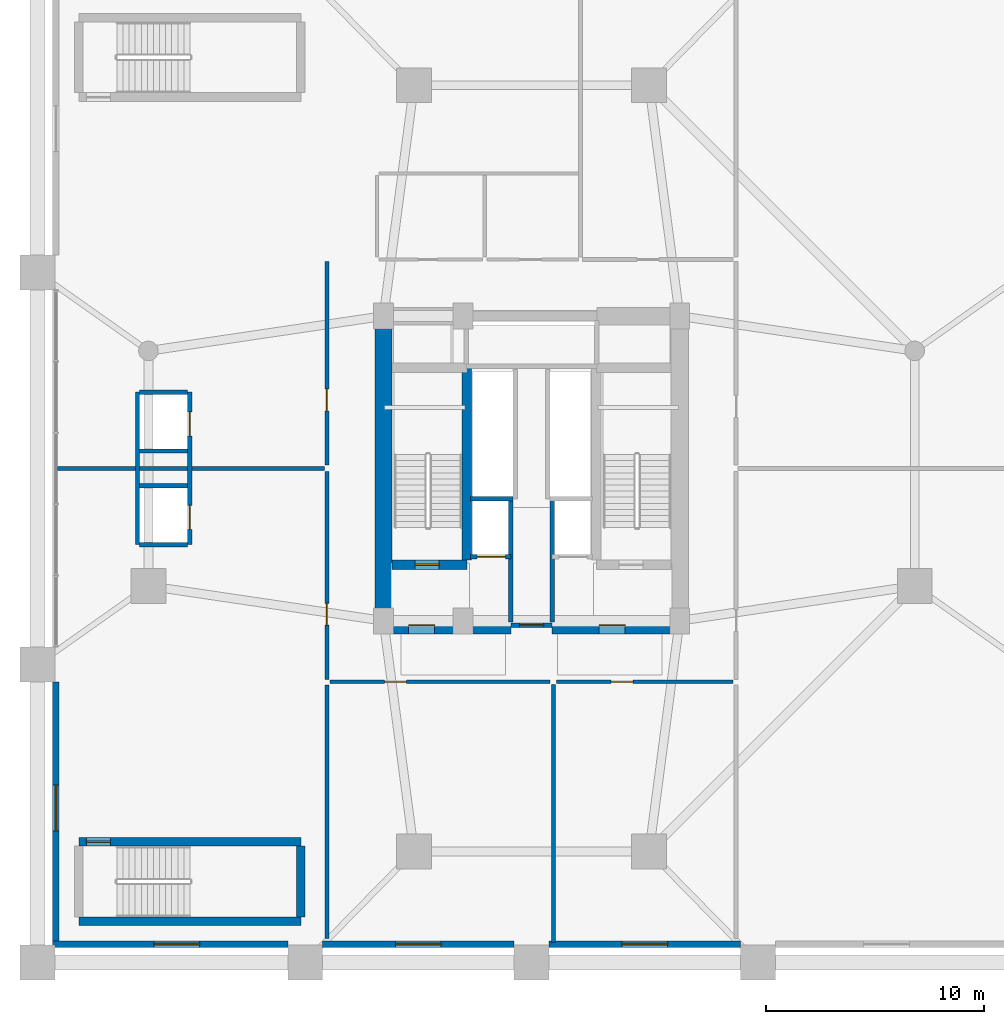
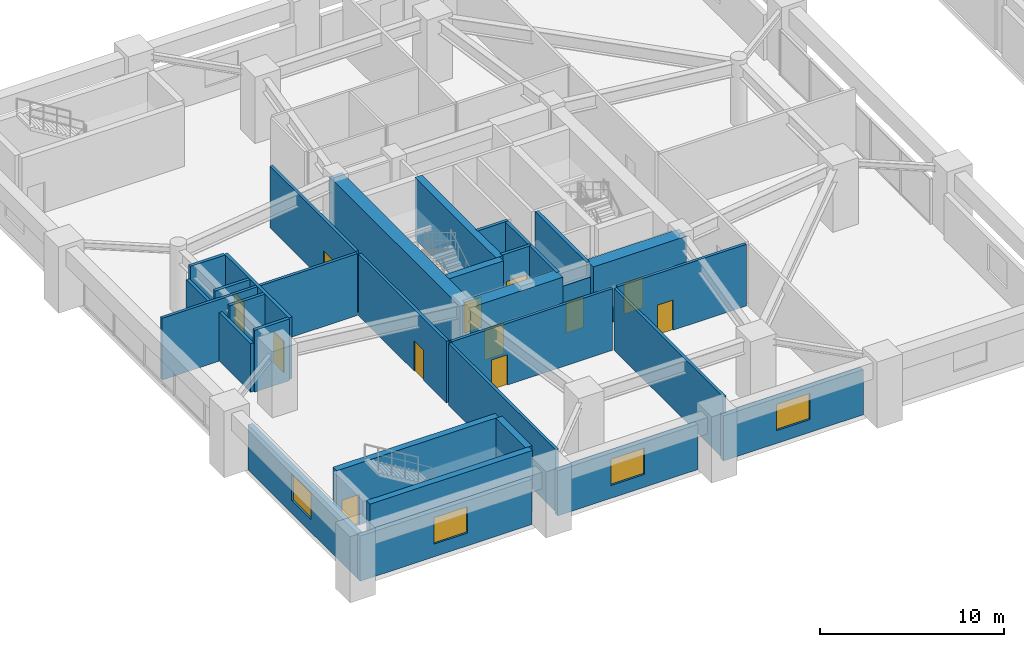
# One storey, part 14 of 22: 30 walls, 12 doors, 4 windows, 16 openings.
"""IFC4 building model written with IfcOpenShell, lengths in metres."""

from ifc_helpers import new_model, si_unit, direction, frame, frame_2d, origin, place, context, subcontext, project, spatial, rectangle, extrude, source, transform, mapped, material, layer, layer_set, type_object, element, fill, save


model = new_model("IFC4")

# Units and contexts
model_context = context("Model", 3, precision=1e-05, world=origin(), true_north=direction((0.0, 1.0)))
body_context = subcontext(model_context, "Body", "Model", "MODEL_VIEW")
ifc_project = project(units=[si_unit("LENGTHUNIT", "METRE"), si_unit("AREAUNIT", "SQUARE_METRE"), si_unit("VOLUMEUNIT", "CUBIC_METRE"), si_unit("PLANEANGLEUNIT", "RADIAN"), si_unit("MASSUNIT", "GRAM", prefix="KILO")], contexts=[model_context])

# Site, building, storey
site_placement = place(None, origin())
site = spatial("IfcSite", under=ifc_project, at=site_placement, CompositionType="ELEMENT")
building_placement = place(site_placement, origin())
building = spatial("IfcBuilding", under=site, at=building_placement, Name="Veraguas Prism Commons", CompositionType="ELEMENT")
storey_placement = place(building_placement, frame((0.0, 0.0, 5.199951171875)))
storey = spatial("IfcBuildingStorey", under=building, at=storey_placement, Name="L01", CompositionType="ELEMENT", Elevation=5.199951171875)

# Wall
ifc_material_1 = material(Name="Concrete C50/60", Category="concrete")
ifc_layer_1 = layer(ifc_material_1, 0.39990234375, Name="Clinic and Mid Core Shear Wall RC 400", Category="concrete")
ifc_layer_set_1 = layer_set([ifc_layer_1], Name="Concrete C50/60")
wall_type_1 = type_object("IfcWallType", Name="Clinic and Mid Core Shear Wall RC 400", PredefinedType="SHEAR", material=ifc_layer_set_1)
wall_1_placement = place(storey_placement, frame((3.199951171875, 3.199951171875, 0.0), z_axis=(0.0, 0.0, 1.0), x_axis=(1.0, 0.0, 0.0)))
element("IfcWall", 1, at=wall_1_placement, inside=storey, type_object=wall_type_1, Name="ST-M1 South Shear Wall L01", PredefinedType="SHEAR", context=body_context, shape_type="SweptSolid", body=[
    extrude(rectangle(XDim=10.199951171875, YDim=0.39990234375, at=frame_2d((5.10009765625, 0.0))), origin(), (0.0, 0.0, 1.0), 4.10009765625),
])

# Wall, opening, door
wall_2_placement = place(storey_placement, frame((3.199951171875, 6.85009765625, 0.0), z_axis=(0.0, 0.0, 1.0), x_axis=(1.0, 0.0, 0.0)))
wall_2 = element("IfcWall", 2, at=wall_2_placement, inside=storey, type_object=wall_type_1, Name="ST-M1 North Shear Wall L01", PredefinedType="SHEAR", context=body_context, shape_type="SweptSolid", body=[
    extrude(rectangle(XDim=10.199951171875, YDim=0.39990234375, at=frame_2d((5.10009765625, 0.0))), origin(), (0.0, 0.0, 1.0), 4.10009765625),
])
opening_1_placement = place(wall_2_placement, frame((0.35009765625, 0.0, 0.0)))
opening_1 = element("IfcOpeningElement", 3, at=opening_1_placement, cuts=wall_2, Name="Opening DR-05", PredefinedType="OPENING", context=body_context, shape_type="SweptSolid", body=[
    extrude(rectangle(XDim=1.10009765625, YDim=2.030029296875, at=frame_2d((0.550048828125, 1.01513671875))), frame((0.0, 0.2099609375, 0.0), z_axis=(0.0, -1.0, 0.0), x_axis=(1.0, 0.0, 0.0)), (0.0, 0.0, 1.0), 0.419921875),
])
ifc_material_2 = material(Name="Steel fire-rated door assembly", Category="steel")
door_type_1 = type_object("IfcDoorType", Name="Protected Stair and Refuge Fire Door 1100x2030", OperationType="NOTDEFINED", PredefinedType="DOOR", material=ifc_material_2)
shared_shape_1 = source(origin(), body_context, "Body", "SweptSolid", [
    extrude(rectangle(XDim=1.10009765625, YDim=2.030029296875, at=frame_2d((0.550048828125, 1.01513671875))), frame((0.0, 0.02490234375, 0.0), z_axis=(0.0, -1.0, 0.0), x_axis=(1.0, 0.0, 0.0)), (0.0, 0.0, 1.0), 0.050048828125),
])
door_1_placement = place(opening_1_placement, origin())
door_1 = element("IfcDoor", 4, at=door_1_placement, inside=storey, type_object=door_type_1, Name="Metro Stair ST-M1 Door L01", OperationType="SINGLE_SWING_LEFT", OverallHeight=2.030029296875, OverallWidth=1.10009765625, PredefinedType="DOOR", context=body_context, shape_type="MappedRepresentation", body=[
    mapped(shared_shape_1, transform((0.0, 0.0, 0.0), scale=1.0)),
])
fill(opening_1, door_1)

# Wall
wall_3_placement = place(storey_placement, frame((13.39990234375, 3.39990234375, 0.0), z_axis=(0.0, 0.0, 1.0), x_axis=(0.0, 1.0, 0.0)))
element("IfcWall", 5, at=wall_3_placement, inside=storey, type_object=wall_type_1, Name="ST-M1 East Shear Wall L01", PredefinedType="SHEAR", context=body_context, shape_type="SweptSolid", body=[
    extrude(rectangle(XDim=3.25, YDim=0.39990234375, at=frame_2d((1.625, 0.0))), origin(), (0.0, 0.0, 1.0), 4.10009765625),
])

# Wall, opening, door
ifc_material_3 = material(Name="Concrete C60/75", Category="concrete")
ifc_layer_2 = layer(ifc_material_3, 0.449951171875, Name="Core Internal Shear Wall Lower RC 450", Category="concrete")
ifc_layer_set_2 = layer_set([ifc_layer_2], Name="Concrete C60/75")
wall_type_2 = type_object("IfcWallType", Name="Core Internal Shear Wall Lower RC 450", PredefinedType="SHEAR", material=ifc_layer_set_2)
wall_4_placement = place(storey_placement, frame((17.60009765625, 19.574951171875, 0.0), z_axis=(0.0, 0.0, 1.0), x_axis=(1.0, 0.0, 0.0)))
wall_4 = element("IfcWall", 6, at=wall_4_placement, inside=storey, type_object=wall_type_2, Name="Stair ST-01 South Shear Wall L01", PredefinedType="SHEAR", context=body_context, shape_type="SweptSolid", body=[
    extrude(rectangle(XDim=3.4248046875, YDim=0.449951171875, at=frame_2d((1.71240234375, 0.0))), origin(), (0.0, 0.0, 1.0), 4.10009765625),
])
opening_2_placement = place(wall_4_placement, frame((1.050048828125, 0.0, 0.0)))
opening_2 = element("IfcOpeningElement", 7, at=opening_2_placement, cuts=wall_4, Name="Opening DR-05", PredefinedType="OPENING", context=body_context, shape_type="SweptSolid", body=[
    extrude(rectangle(XDim=1.10009765625, YDim=2.030029296875, at=frame_2d((0.550048828125, 1.01513671875))), frame((0.0, 0.23486328125, 0.0), z_axis=(0.0, -1.0, 0.0), x_axis=(1.0, 0.0, 0.0)), (0.0, 0.0, 1.0), 0.469970703125),
])
door_2_placement = place(opening_2_placement, origin())
door_2 = element("IfcDoor", 8, at=door_2_placement, inside=storey, type_object=door_type_1, Name="Stair ST-01 Enclosure Door L01", OperationType="SINGLE_SWING_LEFT", OverallHeight=2.030029296875, OverallWidth=1.10009765625, PredefinedType="DOOR", context=body_context, shape_type="MappedRepresentation", body=[
    mapped(shared_shape_1, transform((0.0, 0.0, 0.0), scale=1.0)),
])
fill(opening_2, door_2)

# Walls
wall_5_placement = place(storey_placement, frame((21.02490234375, 19.800048828125, 0.0), z_axis=(0.0, 0.0, 1.0), x_axis=(0.0, 1.0, 0.0)))
element("IfcWall", 9, at=wall_5_placement, inside=storey, type_object=wall_type_2, Name="Stair ST-01 Inner Shear Wall L01", PredefinedType="SHEAR", context=body_context, shape_type="SweptSolid", body=[
    extrude(rectangle(XDim=8.824951171875, YDim=0.449951171875, at=frame_2d((4.41259765625, 0.0))), origin(), (0.0, 0.0, 1.0), 4.10009765625),
])
ifc_layer_3 = layer(ifc_material_3, 0.800048828125, Name="Core Outer Shear Wall Lower RC 800", Category="concrete")
ifc_layer_set_3 = layer_set([ifc_layer_3], Name="Concrete C60/75")
wall_type_3 = type_object("IfcWallType", Name="Core Outer Shear Wall Lower RC 800", PredefinedType="SHEAR", material=ifc_layer_set_3)
wall_6_placement = place(storey_placement, frame((17.199951171875, 16.800048828125, 0.0), z_axis=(0.0, 0.0, 1.0), x_axis=(0.0, 1.0, 0.0)))
element("IfcWall", 10, at=wall_6_placement, inside=storey, type_object=wall_type_3, Name="Central Core West Shear Wall L01", PredefinedType="SHEAR", context=body_context, shape_type="SweptSolid", body=[
    extrude(rectangle(XDim=14.199951171875, YDim=0.800048828125, at=frame_2d((7.10009765625, 0.0))), origin(), (0.0, 0.0, 1.0), 4.10009765625),
])

# Wall, opening, door
wall_7_placement = place(storey_placement, frame((17.199951171875, 16.800048828125, 0.0), z_axis=(0.0, 0.0, 1.0), x_axis=(1.0, 0.0, 0.0)))
wall_7 = element("IfcWall", 11, at=wall_7_placement, inside=storey, type_object=wall_type_3, Name="Central Core South-West Shear Wall L01", PredefinedType="SHEAR", context=body_context, shape_type="SweptSolid", body=[
    extrude(rectangle(XDim=5.85009765625, YDim=0.800048828125, at=frame_2d((2.925048828125, 0.0))), origin(), (0.0, 0.0, 1.0), 4.10009765625),
])
opening_3_placement = place(wall_7_placement, frame((1.14990234375, 0.0, 0.0)))
opening_3 = element("IfcOpeningElement", 12, at=opening_3_placement, cuts=wall_7, Name="Opening DR-06", PredefinedType="OPENING", context=body_context, shape_type="SweptSolid", body=[
    extrude(rectangle(XDim=1.199951171875, YDim=2.030029296875, at=frame_2d((0.60009765625, 1.01513671875))), frame((0.0, 0.409912109375, 0.0), z_axis=(0.0, -1.0, 0.0), x_axis=(1.0, 0.0, 0.0)), (0.0, 0.0, 1.0), 0.820068359375),
])
door_type_2 = type_object("IfcDoorType", Name="Firefighting Lobby Smoke Door 1200x2030", OperationType="NOTDEFINED", PredefinedType="DOOR", material=ifc_material_2)
shared_shape_2 = source(origin(), body_context, "Body", "SweptSolid", [
    extrude(rectangle(XDim=1.199951171875, YDim=2.030029296875, at=frame_2d((0.60009765625, 1.01513671875))), frame((0.0, 0.02490234375, 0.0), z_axis=(0.0, -1.0, 0.0), x_axis=(1.0, 0.0, 0.0)), (0.0, 0.0, 1.0), 0.050048828125),
])
door_3_placement = place(opening_3_placement, origin())
door_3 = element("IfcDoor", 13, at=door_3_placement, inside=storey, type_object=door_type_2, Name="West FF Lobby Door L01", OperationType="SINGLE_SWING_RIGHT", OverallHeight=2.030029296875, OverallWidth=1.199951171875, PredefinedType="DOOR", context=body_context, shape_type="MappedRepresentation", body=[
    mapped(shared_shape_2, transform((0.0, 0.0, 0.0), scale=1.0)),
])
fill(opening_3, door_3)

wall_8_placement = place(storey_placement, frame((24.949951171875, 16.800048828125, 0.0), z_axis=(0.0, 0.0, 1.0), x_axis=(1.0, 0.0, 0.0)))
wall_8 = element("IfcWall", 14, at=wall_8_placement, inside=storey, type_object=wall_type_3, Name="Central Core South-East Shear Wall L01", PredefinedType="SHEAR", context=body_context, shape_type="SweptSolid", body=[
    extrude(rectangle(XDim=5.85009765625, YDim=0.800048828125, at=frame_2d((2.925048828125, 0.0))), origin(), (0.0, 0.0, 1.0), 4.10009765625),
])
opening_4_placement = place(wall_8_placement, frame((2.14990234375, 0.0, 0.0)))
opening_4 = element("IfcOpeningElement", 15, at=opening_4_placement, cuts=wall_8, Name="Opening DR-06", PredefinedType="OPENING", context=body_context, shape_type="SweptSolid", body=[
    extrude(rectangle(XDim=1.199951171875, YDim=2.030029296875, at=frame_2d((0.60009765625, 1.01513671875))), frame((0.0, 0.409912109375, 0.0), z_axis=(0.0, -1.0, 0.0), x_axis=(1.0, 0.0, 0.0)), (0.0, 0.0, 1.0), 0.820068359375),
])
door_4_placement = place(opening_4_placement, origin())
door_4 = element("IfcDoor", 16, at=door_4_placement, inside=storey, type_object=door_type_2, Name="East FF Lobby Door L01", OperationType="SINGLE_SWING_RIGHT", OverallHeight=2.030029296875, OverallWidth=1.199951171875, PredefinedType="DOOR", context=body_context, shape_type="MappedRepresentation", body=[
    mapped(shared_shape_2, transform((0.0, 0.0, 0.0), scale=1.0)),
])
fill(opening_4, door_4)

ifc_material_4 = material(Name="Autoclaved aerated masonry block 10 MPa", Category="masonry")
ifc_layer_4 = layer(ifc_material_4, 0.179931640625, Name="Corridor and Inter-Tenancy Partition 180", Category="masonry")
ifc_layer_set_4 = layer_set([ifc_layer_4], Name="Autoclaved aerated masonry block 10 MPa")
wall_type_4 = type_object("IfcWallType", Name="Corridor and Inter-Tenancy Partition 180", PredefinedType="PARTITIONING", material=ifc_layer_set_4)
wall_9_placement = place(storey_placement, frame((14.60009765625, 14.300048828125, 0.0), z_axis=(0.0, 0.0, 1.0), x_axis=(0.0, 1.0, 0.0)))
wall_9 = element("IfcWall", 17, at=wall_9_placement, inside=storey, type_object=wall_type_4, Name="WL-L01-PDPT01", PredefinedType="PARTITIONING", context=body_context, shape_type="SweptSolid", body=[
    extrude(rectangle(XDim=9.550048828125, YDim=0.179931640625, at=frame_2d((4.77490234375, 0.0))), origin(), (0.0, 0.0, 1.0), 4.10009765625),
])
opening_5_placement = place(wall_9_placement, frame((2.5, 0.0, 0.0)))
opening_5 = element("IfcOpeningElement", 18, at=opening_5_placement, cuts=wall_9, Name="Opening DR-13", PredefinedType="OPENING", context=body_context, shape_type="SweptSolid", body=[
    extrude(rectangle(XDim=1.0, YDim=2.010009765625, at=frame_2d((0.5, 1.0048828125))), frame((0.0, 0.099853515625, 0.0), z_axis=(0.0, -1.0, 0.0), x_axis=(1.0, 0.0, 0.0)), (0.0, 0.0, 1.0), 0.199951171875),
])
door_type_3 = type_object("IfcDoorType", Name="Core Accessible WC and Clinic Fire Door 1000x2010", OperationType="NOTDEFINED", PredefinedType="DOOR", material=ifc_material_2)
shared_shape_3 = source(origin(), body_context, "Body", "SweptSolid", [
    extrude(rectangle(XDim=1.0, YDim=2.010009765625, at=frame_2d((0.5, 1.0048828125))), frame((0.0, 0.02490234375, 0.0), z_axis=(0.0, -1.0, 0.0), x_axis=(1.0, 0.0, 0.0)), (0.0, 0.0, 1.0), 0.050048828125),
])
door_5_placement = place(opening_5_placement, origin())
door_5 = element("IfcDoor", 19, at=door_5_placement, inside=storey, type_object=door_type_3, Name="Metro Upper Concourse Gallery Door", OperationType="SINGLE_SWING_LEFT", OverallHeight=2.010009765625, OverallWidth=1.0, PredefinedType="DOOR", context=body_context, shape_type="MappedRepresentation", body=[
    mapped(shared_shape_3, transform((0.0, 0.0, 0.0), scale=1.0)),
])
fill(opening_5, door_5)

wall_10_placement = place(storey_placement, frame((14.60009765625, 24.14990234375, 0.0), z_axis=(0.0, 0.0, 1.0), x_axis=(0.0, 1.0, 0.0)))
wall_10 = element("IfcWall", 20, at=wall_10_placement, inside=storey, type_object=wall_type_4, Name="WL-L01-PDPT02", PredefinedType="PARTITIONING", context=body_context, shape_type="SweptSolid", body=[
    extrude(rectangle(XDim=9.35009765625, YDim=0.179931640625, at=frame_2d((4.675048828125, 0.0))), origin(), (0.0, 0.0, 1.0), 4.10009765625),
])
opening_6_placement = place(wall_10_placement, frame((2.5, 0.0, 0.0)))
opening_6 = element("IfcOpeningElement", 21, at=opening_6_placement, cuts=wall_10, Name="Opening DR-13", PredefinedType="OPENING", context=body_context, shape_type="SweptSolid", body=[
    extrude(rectangle(XDim=1.0, YDim=2.010009765625, at=frame_2d((0.5, 1.0048828125))), frame((0.0, 0.099853515625, 0.0), z_axis=(0.0, -1.0, 0.0), x_axis=(1.0, 0.0, 0.0)), (0.0, 0.0, 1.0), 0.199951171875),
])
door_6_placement = place(opening_6_placement, origin())
door_6 = element("IfcDoor", 22, at=door_6_placement, inside=storey, type_object=door_type_3, Name="Community Reading Hall Door", OperationType="SINGLE_SWING_RIGHT", OverallHeight=2.010009765625, OverallWidth=1.0, PredefinedType="DOOR", context=body_context, shape_type="MappedRepresentation", body=[
    mapped(shared_shape_3, transform((0.0, 0.0, 0.0), scale=1.0)),
])
fill(opening_6, door_6)

# Walls
wall_11_placement = place(storey_placement, frame((2.219970703125, 24.0, 0.0), z_axis=(0.0, 0.0, 1.0), x_axis=(1.0, 0.0, 0.0)))
element("IfcWall", 23, at=wall_11_placement, inside=storey, type_object=wall_type_4, Name="WL-L01-PDPT03", PredefinedType="PARTITIONING", context=body_context, shape_type="SweptSolid", body=[
    extrude(rectangle(XDim=12.260009765625, YDim=0.179931640625, at=frame_2d((6.1298828125, 0.0))), origin(), (0.0, 0.0, 1.0), 4.10009765625),
])
wall_12_placement = place(storey_placement, frame((14.60009765625, 2.39990234375, 0.0), z_axis=(0.0, 0.0, 1.0), x_axis=(0.0, 1.0, 0.0)))
element("IfcWall", 24, at=wall_12_placement, inside=storey, type_object=wall_type_4, Name="WL-L01-PDPT03S", PredefinedType="PARTITIONING", context=body_context, shape_type="SweptSolid", body=[
    extrude(rectangle(XDim=11.650146484375, YDim=0.179931640625, at=frame_2d((5.8251953125, 0.0))), origin(), (0.0, 0.0, 1.0), 4.10009765625),
])

# Wall, opening, door
wall_13_placement = place(storey_placement, frame((14.75, 14.199951171875, 0.0), z_axis=(0.0, 0.0, 1.0), x_axis=(1.0, 0.0, 0.0)))
wall_13 = element("IfcWall", 25, at=wall_13_placement, inside=storey, type_object=wall_type_4, Name="WL-L01-PDPT04", PredefinedType="PARTITIONING", context=body_context, shape_type="SweptSolid", body=[
    extrude(rectangle(XDim=10.10009765625, YDim=0.179931640625, at=frame_2d((5.050048828125, 0.0))), origin(), (0.0, 0.0, 1.0), 4.10009765625),
])
opening_7_placement = place(wall_13_placement, frame((2.5, 0.0, 0.0)))
opening_7 = element("IfcOpeningElement", 26, at=opening_7_placement, cuts=wall_13, Name="Opening DR-13", PredefinedType="OPENING", context=body_context, shape_type="SweptSolid", body=[
    extrude(rectangle(XDim=1.0, YDim=2.010009765625, at=frame_2d((0.5, 1.0048828125))), frame((0.0, 0.099853515625, 0.0), z_axis=(0.0, -1.0, 0.0), x_axis=(1.0, 0.0, 0.0)), (0.0, 0.0, 1.0), 0.199951171875),
])
door_7_placement = place(opening_7_placement, origin())
door_7 = element("IfcDoor", 27, at=door_7_placement, inside=storey, type_object=door_type_3, Name="Municipal Housing Advice Office Door", OperationType="SINGLE_SWING_LEFT", OverallHeight=2.010009765625, OverallWidth=1.0, PredefinedType="DOOR", context=body_context, shape_type="MappedRepresentation", body=[
    mapped(shared_shape_3, transform((0.0, 0.0, 0.0), scale=1.0)),
])
fill(opening_7, door_7)

wall_14_placement = place(storey_placement, frame((25.14990234375, 14.199951171875, 0.0), z_axis=(0.0, 0.0, 1.0), x_axis=(1.0, 0.0, 0.0)))
wall_14 = element("IfcWall", 28, at=wall_14_placement, inside=storey, type_object=wall_type_4, Name="WL-L01-PDPT05", PredefinedType="PARTITIONING", context=body_context, shape_type="SweptSolid", body=[
    extrude(rectangle(XDim=8.10009765625, YDim=0.179931640625, at=frame_2d((4.050048828125, 0.0))), origin(), (0.0, 0.0, 1.0), 4.10009765625),
])
opening_8_placement = place(wall_14_placement, frame((2.5, 0.0, 0.0)))
opening_8 = element("IfcOpeningElement", 29, at=opening_8_placement, cuts=wall_14, Name="Opening DR-13", PredefinedType="OPENING", context=body_context, shape_type="SweptSolid", body=[
    extrude(rectangle(XDim=1.0, YDim=2.010009765625, at=frame_2d((0.5, 1.0048828125))), frame((0.0, 0.099853515625, 0.0), z_axis=(0.0, -1.0, 0.0), x_axis=(1.0, 0.0, 0.0)), (0.0, 0.0, 1.0), 0.199951171875),
])
door_8_placement = place(opening_8_placement, origin())
door_8 = element("IfcDoor", 30, at=door_8_placement, inside=storey, type_object=door_type_3, Name="Co-op Member Services Door", OperationType="SINGLE_SWING_RIGHT", OverallHeight=2.010009765625, OverallWidth=1.0, PredefinedType="DOOR", context=body_context, shape_type="MappedRepresentation", body=[
    mapped(shared_shape_3, transform((0.0, 0.0, 0.0), scale=1.0)),
])
fill(opening_8, door_8)

# Wall
wall_15_placement = place(storey_placement, frame((25.0, 2.219970703125, 0.0), z_axis=(0.0, 0.0, 1.0), x_axis=(0.0, 1.0, 0.0)))
element("IfcWall", 31, at=wall_15_placement, inside=storey, type_object=wall_type_4, Name="WL-L01-PDPT06", PredefinedType="PARTITIONING", context=body_context, shape_type="SweptSolid", body=[
    extrude(rectangle(XDim=11.860107421875, YDim=0.179931640625, at=frame_2d((5.93017578125, 0.0))), origin(), (0.0, 0.0, 1.0), 4.10009765625),
])

# Wall, opening, window
ifc_material_5 = material(Name="Precast concrete C40/50", Category="concrete")
ifc_layer_5 = layer(ifc_material_5, 0.300048828125, Name="External Precast Facade Wall 300", Category="concrete")
ifc_layer_set_5 = layer_set([ifc_layer_5], Name="Precast concrete C40/50")
wall_type_5 = type_object("IfcWallType", Name="External Precast Facade Wall 300", PredefinedType="SOLIDWALL", material=ifc_layer_set_5)
wall_16_placement = place(storey_placement, frame((2.0, 2.14990234375, 0.0), z_axis=(0.0, 0.0, 1.0), x_axis=(1.0, 0.0, 0.0)))
wall_16 = element("IfcWall", 32, at=wall_16_placement, inside=storey, type_object=wall_type_5, Name="Podium South Facade Wall L01-01", PredefinedType="SOLIDWALL", context=body_context, shape_type="SweptSolid", body=[
    extrude(rectangle(XDim=10.800048828125, YDim=0.300048828125, at=frame_2d((5.39990234375, 0.0))), origin(), (0.0, 0.0, 1.0), 3.0),
])
opening_9_placement = place(wall_16_placement, frame((4.64990234375, 0.0, 0.85009765625)))
opening_9 = element("IfcOpeningElement", 33, at=opening_9_placement, cuts=wall_16, Name="Opening WN-07", PredefinedType="OPENING", context=body_context, shape_type="SweptSolid", body=[
    extrude(rectangle(XDim=2.10009765625, YDim=1.75, at=frame_2d((1.050048828125, 0.875))), frame((0.0, 0.159912109375, 0.0), z_axis=(0.0, -1.0, 0.0), x_axis=(1.0, 0.0, 0.0)), (0.0, 0.0, 1.0), 0.320068359375),
])
ifc_material_6 = material(Name="Laminated low-e glass", Category="glass")
window_type = type_object("IfcWindowType", Name="Podium Community Window 2100x1750", PartitioningType="DOUBLE_PANEL_VERTICAL", PredefinedType="WINDOW", material=ifc_material_6)
shared_shape_4 = source(origin(), body_context, "Body", "SweptSolid", [
    extrude(rectangle(XDim=2.10009765625, YDim=1.75, at=frame_2d((1.050048828125, 0.875))), frame((0.0, 0.030029296875, 0.0), z_axis=(0.0, -1.0, 0.0), x_axis=(1.0, 0.0, 0.0)), (0.0, 0.0, 1.0), 0.06005859375),
])
window_1_placement = place(opening_9_placement, origin())
window_1 = element("IfcWindow", 34, at=window_1_placement, inside=storey, type_object=window_type, Name="Podium South Window L01-01", OverallHeight=1.75, OverallWidth=2.10009765625, PartitioningType="DOUBLE_PANEL_VERTICAL", PredefinedType="WINDOW", context=body_context, shape_type="MappedRepresentation", body=[
    mapped(shared_shape_4, transform((0.0, 0.0, 0.0), scale=1.0)),
])
fill(opening_9, window_1)

wall_17_placement = place(storey_placement, frame((14.39990234375, 2.14990234375, 0.0), z_axis=(0.0, 0.0, 1.0), x_axis=(1.0, 0.0, 0.0)))
wall_17 = element("IfcWall", 35, at=wall_17_placement, inside=storey, type_object=wall_type_5, Name="Podium South Facade Wall L01-02", PredefinedType="SOLIDWALL", context=body_context, shape_type="SweptSolid", body=[
    extrude(rectangle(XDim=8.800048828125, YDim=0.300048828125, at=frame_2d((4.39990234375, 0.0))), origin(), (0.0, 0.0, 1.0), 3.0),
])
opening_10_placement = place(wall_17_placement, frame((3.35009765625, 0.0, 0.85009765625)))
opening_10 = element("IfcOpeningElement", 36, at=opening_10_placement, cuts=wall_17, Name="Opening WN-07", PredefinedType="OPENING", context=body_context, shape_type="SweptSolid", body=[
    extrude(rectangle(XDim=2.10009765625, YDim=1.75, at=frame_2d((1.050048828125, 0.875))), frame((0.0, 0.159912109375, 0.0), z_axis=(0.0, -1.0, 0.0), x_axis=(1.0, 0.0, 0.0)), (0.0, 0.0, 1.0), 0.320068359375),
])
window_2_placement = place(opening_10_placement, origin())
window_2 = element("IfcWindow", 37, at=window_2_placement, inside=storey, type_object=window_type, Name="Podium South Window L01-02", OverallHeight=1.75, OverallWidth=2.10009765625, PartitioningType="DOUBLE_PANEL_VERTICAL", PredefinedType="WINDOW", context=body_context, shape_type="MappedRepresentation", body=[
    mapped(shared_shape_4, transform((0.0, 0.0, 0.0), scale=1.0)),
])
fill(opening_10, window_2)

wall_18_placement = place(storey_placement, frame((24.800048828125, 2.14990234375, 0.0), z_axis=(0.0, 0.0, 1.0), x_axis=(1.0, 0.0, 0.0)))
wall_18 = element("IfcWall", 38, at=wall_18_placement, inside=storey, type_object=wall_type_5, Name="Podium South Facade Wall L01-03", PredefinedType="SOLIDWALL", context=body_context, shape_type="SweptSolid", body=[
    extrude(rectangle(XDim=8.800048828125, YDim=0.300048828125, at=frame_2d((4.39990234375, 0.0))), origin(), (0.0, 0.0, 1.0), 3.0),
])
opening_11_placement = place(wall_18_placement, frame((3.35009765625, 0.0, 0.85009765625)))
opening_11 = element("IfcOpeningElement", 39, at=opening_11_placement, cuts=wall_18, Name="Opening WN-07", PredefinedType="OPENING", context=body_context, shape_type="SweptSolid", body=[
    extrude(rectangle(XDim=2.10009765625, YDim=1.75, at=frame_2d((1.050048828125, 0.875))), frame((0.0, 0.159912109375, 0.0), z_axis=(0.0, -1.0, 0.0), x_axis=(1.0, 0.0, 0.0)), (0.0, 0.0, 1.0), 0.320068359375),
])
window_3_placement = place(opening_11_placement, origin())
window_3 = element("IfcWindow", 40, at=window_3_placement, inside=storey, type_object=window_type, Name="Podium South Window L01-03", OverallHeight=1.75, OverallWidth=2.10009765625, PartitioningType="DOUBLE_PANEL_VERTICAL", PredefinedType="WINDOW", context=body_context, shape_type="MappedRepresentation", body=[
    mapped(shared_shape_4, transform((0.0, 0.0, 0.0), scale=1.0)),
])
fill(opening_11, window_3)

wall_19_placement = place(storey_placement, frame((2.14990234375, 14.199951171875, 0.0), z_axis=(0.0, 0.0, 1.0), x_axis=(0.0, -1.0, 0.0)))
wall_19 = element("IfcWall", 41, at=wall_19_placement, inside=storey, type_object=wall_type_5, Name="Podium West Facade Wall L01-03", PredefinedType="SOLIDWALL", context=body_context, shape_type="SweptSolid", body=[
    extrude(rectangle(XDim=11.89990234375, YDim=0.300048828125, at=frame_2d((5.949951171875, 0.0))), origin(), (0.0, 0.0, 1.0), 3.0),
])
opening_12_placement = place(wall_19_placement, frame((4.75, 0.0, 0.85009765625)))
opening_12 = element("IfcOpeningElement", 42, at=opening_12_placement, cuts=wall_19, Name="Opening WN-07", PredefinedType="OPENING", context=body_context, shape_type="SweptSolid", body=[
    extrude(rectangle(XDim=2.10009765625, YDim=1.75, at=frame_2d((1.050048828125, 0.875))), frame((0.0, 0.159912109375, 0.0), z_axis=(0.0, -1.0, 0.0), x_axis=(1.0, 0.0, 0.0)), (0.0, 0.0, 1.0), 0.320068359375),
])
window_4_placement = place(opening_12_placement, origin())
window_4 = element("IfcWindow", 43, at=window_4_placement, inside=storey, type_object=window_type, Name="Podium West Window L01-03", OverallHeight=1.75, OverallWidth=2.10009765625, PartitioningType="DOUBLE_PANEL_VERTICAL", PredefinedType="WINDOW", context=body_context, shape_type="MappedRepresentation", body=[
    mapped(shared_shape_4, transform((0.0, 0.0, 0.0), scale=1.0)),
])
fill(opening_12, window_4)

# Wall, opening, door
ifc_layer_6 = layer(ifc_material_4, 0.199951171875, Name="Rated Shaft and Lobby Block Wall 200", Category="masonry")
ifc_layer_set_6 = layer_set([ifc_layer_6], Name="Autoclaved aerated masonry block 10 MPa")
wall_type_6 = type_object("IfcWallType", Name="Rated Shaft and Lobby Block Wall 200", PredefinedType="SOLIDWALL", material=ifc_layer_set_6)
wall_20_placement = place(storey_placement, frame((23.050048828125, 16.800048828125, 0.0), z_axis=(0.0, 0.0, 1.0), x_axis=(1.0, 0.0, 0.0)))
wall_20 = element("IfcWall", 44, at=wall_20_placement, inside=storey, type_object=wall_type_6, Name="Central Core Lobby Entrance Wall L01", PredefinedType="SOLIDWALL", context=body_context, shape_type="SweptSolid", body=[
    extrude(rectangle(XDim=1.89990234375, YDim=0.199951171875, at=frame_2d((0.949951171875, 0.0))), origin(), (0.0, 0.0, 1.0), 3.25),
])
opening_13_placement = place(wall_20_placement, frame((0.39990234375, 0.0, 0.0)))
opening_13 = element("IfcOpeningElement", 45, at=opening_13_placement, cuts=wall_20, Name="Opening DR-05", PredefinedType="OPENING", context=body_context, shape_type="SweptSolid", body=[
    extrude(rectangle(XDim=1.10009765625, YDim=2.030029296875, at=frame_2d((0.550048828125, 1.01513671875))), frame((0.0, 0.10986328125, 0.0), z_axis=(0.0, -1.0, 0.0), x_axis=(1.0, 0.0, 0.0)), (0.0, 0.0, 1.0), 0.219970703125),
])
door_9_placement = place(opening_13_placement, origin())
door_9 = element("IfcDoor", 46, at=door_9_placement, inside=storey, type_object=door_type_1, Name="Central Lobby Door L01", OperationType="SINGLE_SWING_LEFT", OverallHeight=2.030029296875, OverallWidth=1.10009765625, PredefinedType="DOOR", context=body_context, shape_type="MappedRepresentation", body=[
    mapped(shared_shape_1, transform((0.0, 0.0, 0.0), scale=1.0)),
])
fill(opening_13, door_9)

wall_21_placement = place(storey_placement, frame((21.199951171875, 19.949951171875, 0.0), z_axis=(0.0, 0.0, 1.0), x_axis=(1.0, 0.0, 0.0)))
wall_21 = element("IfcWall", 47, at=wall_21_placement, inside=storey, type_object=wall_type_6, Name="Firefighting Lift FFL-1 Front Wall L01", PredefinedType="SOLIDWALL", context=body_context, shape_type="SweptSolid", body=[
    extrude(rectangle(XDim=1.85009765625, YDim=0.199951171875, at=frame_2d((0.925048828125, 0.0))), origin(), (0.0, 0.0, 1.0), 4.10009765625),
])
opening_14_placement = place(wall_21_placement, frame((0.300048828125, 0.0, 0.0)))
opening_14 = element("IfcOpeningElement", 48, at=opening_14_placement, cuts=wall_21, Name="Opening LD-02", PredefinedType="OPENING", context=body_context, shape_type="SweptSolid", body=[
    extrude(rectangle(XDim=1.300048828125, YDim=2.25, at=frame_2d((0.64990234375, 1.125))), frame((0.0, 0.10986328125, 0.0), z_axis=(0.0, -1.0, 0.0), x_axis=(1.0, 0.0, 0.0)), (0.0, 0.0, 1.0), 0.219970703125),
])
ifc_material_7 = material(Name="Stainless steel AISI 316", Category="steel")
door_type_4 = type_object("IfcDoorType", Name="Firefighting Lift Sliding Landing Door 1300x2250", OperationType="NOTDEFINED", PredefinedType="DOOR", material=ifc_material_7)
shared_shape_5 = source(origin(), body_context, "Body", "SweptSolid", [
    extrude(rectangle(XDim=1.300048828125, YDim=2.25, at=frame_2d((0.64990234375, 1.125))), frame((0.0, 0.02490234375, 0.0), z_axis=(0.0, -1.0, 0.0), x_axis=(1.0, 0.0, 0.0)), (0.0, 0.0, 1.0), 0.050048828125),
])
door_10_placement = place(opening_14_placement, origin())
door_10 = element("IfcDoor", 49, at=door_10_placement, inside=storey, type_object=door_type_4, Name="Firefighting Lift FFL-1 Landing Door L01", OperationType="SLIDING_TO_LEFT", OverallHeight=2.25, OverallWidth=1.300048828125, PredefinedType="DOOR", context=body_context, shape_type="MappedRepresentation", body=[
    mapped(shared_shape_5, transform((0.0, 0.0, 0.0), scale=1.0)),
])
fill(opening_14, door_10)

# Walls
for number, where, z_axis, x_axis, name in (
    (50, (23.050048828125, 16.949951171875, 0.0), (0.0, 0.0, 1.0), (0.0, 1.0, 0.0), "West FF Lobby Divider Wall L01"),
    (51, (24.949951171875, 16.949951171875, 0.0), (0.0, 0.0, 1.0), (0.0, 1.0, 0.0), "East FF Lobby Divider Wall L01"),
):
    element("IfcWall", number, at=place(storey_placement, frame(where, z_axis=z_axis, x_axis=x_axis)), inside=storey, type_object=wall_type_6, Name=name, PredefinedType="SOLIDWALL", context=body_context, shape_type="SweptSolid", body=[
        extrude(rectangle(XDim=5.60009765625, YDim=0.199951171875, at=frame_2d((2.800048828125, 0.0))), origin(), (0.0, 0.0, 1.0), 4.10009765625),
    ])
wall_22_placement = place(storey_placement, frame((21.199951171875, 22.60009765625, 0.0), z_axis=(0.0, 0.0, 1.0), x_axis=(1.0, 0.0, 0.0)))
element("IfcWall", 52, at=wall_22_placement, inside=storey, type_object=wall_type_6, Name="Firefighting Lift FFL-1 Rear Wall L01", PredefinedType="SOLIDWALL", context=body_context, shape_type="SweptSolid", body=[
    extrude(rectangle(XDim=1.949951171875, YDim=0.199951171875, at=frame_2d((0.97509765625, 0.0))), origin(), (0.0, 0.0, 1.0), 4.10009765625),
])

# Wall, openings, doors
wall_23_placement = place(storey_placement, frame((8.300048828125, 20.5, 0.0), z_axis=(0.0, 0.0, 1.0), x_axis=(0.0, 1.0, 0.0)))
wall_23 = element("IfcWall", 53, at=wall_23_placement, inside=storey, type_object=wall_type_6, Name="Metro Lift Shaft Front Wall L01", PredefinedType="SOLIDWALL", context=body_context, shape_type="SweptSolid", body=[
    extrude(rectangle(XDim=7.0, YDim=0.199951171875, at=frame_2d((3.5, 0.0))), origin(), (0.0, 0.0, 1.0), 4.10009765625),
])
opening_15_placement = place(wall_23_placement, frame((0.699951171875, 0.0, 0.0)))
opening_15 = element("IfcOpeningElement", 54, at=opening_15_placement, cuts=wall_23, Name="Opening LD-01", PredefinedType="OPENING", context=body_context, shape_type="SweptSolid", body=[
    extrude(rectangle(XDim=1.10009765625, YDim=2.080078125, at=frame_2d((0.550048828125, 1.0400390625))), frame((0.0, 0.10986328125, 0.0), z_axis=(0.0, -1.0, 0.0), x_axis=(1.0, 0.0, 0.0)), (0.0, 0.0, 1.0), 0.219970703125),
])
opening_16_placement = place(wall_23_placement, frame((5.0, 0.0, 0.0)))
opening_16 = element("IfcOpeningElement", 55, at=opening_16_placement, cuts=wall_23, Name="Opening LD-01", PredefinedType="OPENING", context=body_context, shape_type="SweptSolid", body=[
    extrude(rectangle(XDim=1.10009765625, YDim=2.080078125, at=frame_2d((0.550048828125, 1.0400390625))), frame((0.0, 0.10986328125, 0.0), z_axis=(0.0, -1.0, 0.0), x_axis=(1.0, 0.0, 0.0)), (0.0, 0.0, 1.0), 0.219970703125),
])
door_type_5 = type_object("IfcDoorType", Name="Passenger Lift Sliding Landing Door 1100x2080", OperationType="NOTDEFINED", PredefinedType="DOOR", material=ifc_material_7)
shared_shape_6 = source(origin(), body_context, "Body", "SweptSolid", [
    extrude(rectangle(XDim=1.10009765625, YDim=2.080078125, at=frame_2d((0.550048828125, 1.0400390625))), frame((0.0, 0.02490234375, 0.0), z_axis=(0.0, -1.0, 0.0), x_axis=(1.0, 0.0, 0.0)), (0.0, 0.0, 1.0), 0.050048828125),
])
door_11_placement = place(opening_15_placement, origin())
door_11 = element("IfcDoor", 56, at=door_11_placement, inside=storey, type_object=door_type_5, Name="Metro Lift ML-1 Landing Door L01", OperationType="SLIDING_TO_LEFT", OverallHeight=2.080078125, OverallWidth=1.10009765625, PredefinedType="DOOR", context=body_context, shape_type="MappedRepresentation", body=[
    mapped(shared_shape_6, transform((0.0, 0.0, 0.0), scale=1.0)),
])
fill(opening_15, door_11)
door_12_placement = place(opening_16_placement, origin())
door_12 = element("IfcDoor", 57, at=door_12_placement, inside=storey, type_object=door_type_5, Name="Metro Lift ML-2 Landing Door L01", OperationType="SLIDING_TO_LEFT", OverallHeight=2.080078125, OverallWidth=1.10009765625, PredefinedType="DOOR", context=body_context, shape_type="MappedRepresentation", body=[
    mapped(shared_shape_6, transform((0.0, 0.0, 0.0), scale=1.0)),
])
fill(opening_16, door_12)

# Walls
wall_24_placement = place(storey_placement, frame((5.89990234375, 20.5, 0.0), z_axis=(0.0, 0.0, 1.0), x_axis=(0.0, 1.0, 0.0)))
element("IfcWall", 58, at=wall_24_placement, inside=storey, type_object=wall_type_6, Name="Metro Lift Shaft Rear Wall L01", PredefinedType="SOLIDWALL", context=body_context, shape_type="SweptSolid", body=[
    extrude(rectangle(XDim=7.0, YDim=0.199951171875, at=frame_2d((3.5, 0.0))), origin(), (0.0, 0.0, 1.0), 3.23193359375),
])
for number, where, z_axis, x_axis, name in (
    (59, (6.0, 20.5, 0.0), (0.0, 0.0, 1.0), (1.0, 0.0, 0.0), "Metro Lift Shaft South Wall L01"),
    (60, (6.0, 27.5, 0.0), (0.0, 0.0, 1.0), (1.0, 0.0, 0.0), "Metro Lift Shaft North Wall L01"),
    (61, (6.0, 23.199951171875, 0.0), (0.0, 0.0, 1.0), (1.0, 0.0, 0.0), "Metro Lift ML-1 North Divider Wall L01"),
    (62, (6.0, 24.800048828125, 0.0), (0.0, 0.0, 1.0), (1.0, 0.0, 0.0), "Metro Lift ML-2 South Divider Wall L01"),
):
    element("IfcWall", number, at=place(storey_placement, frame(where, z_axis=z_axis, x_axis=x_axis)), inside=storey, type_object=wall_type_6, Name=name, PredefinedType="SOLIDWALL", context=body_context, shape_type="SweptSolid", body=[
        extrude(rectangle(XDim=2.199951171875, YDim=0.199951171875, at=frame_2d((1.10009765625, 0.0))), origin(), (0.0, 0.0, 1.0), 4.10009765625),
    ])

save(model, "model.ifc")
